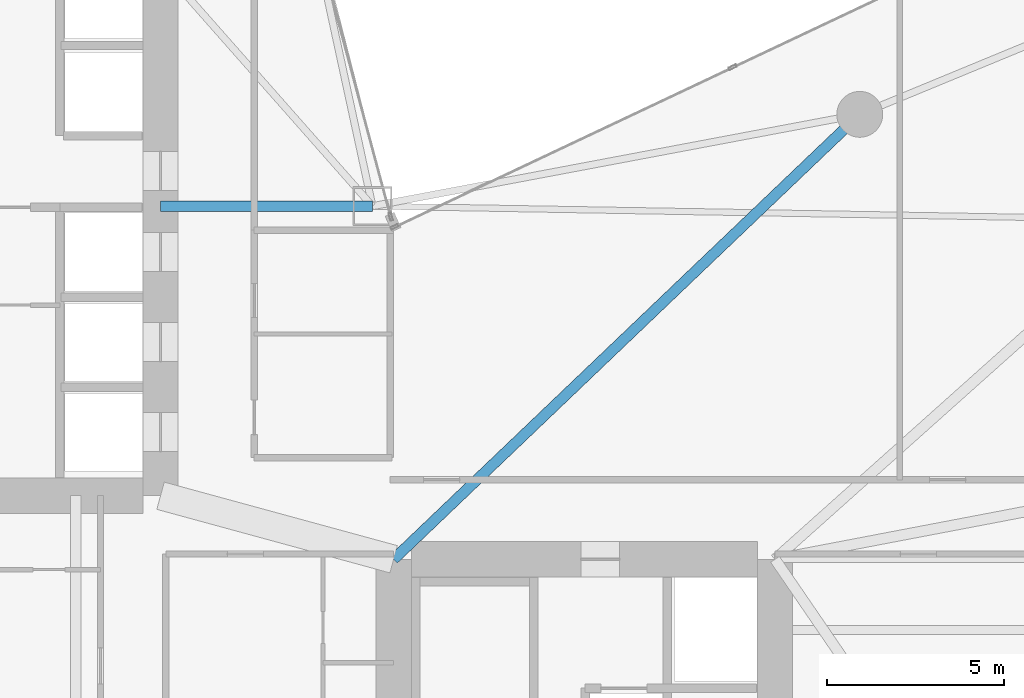
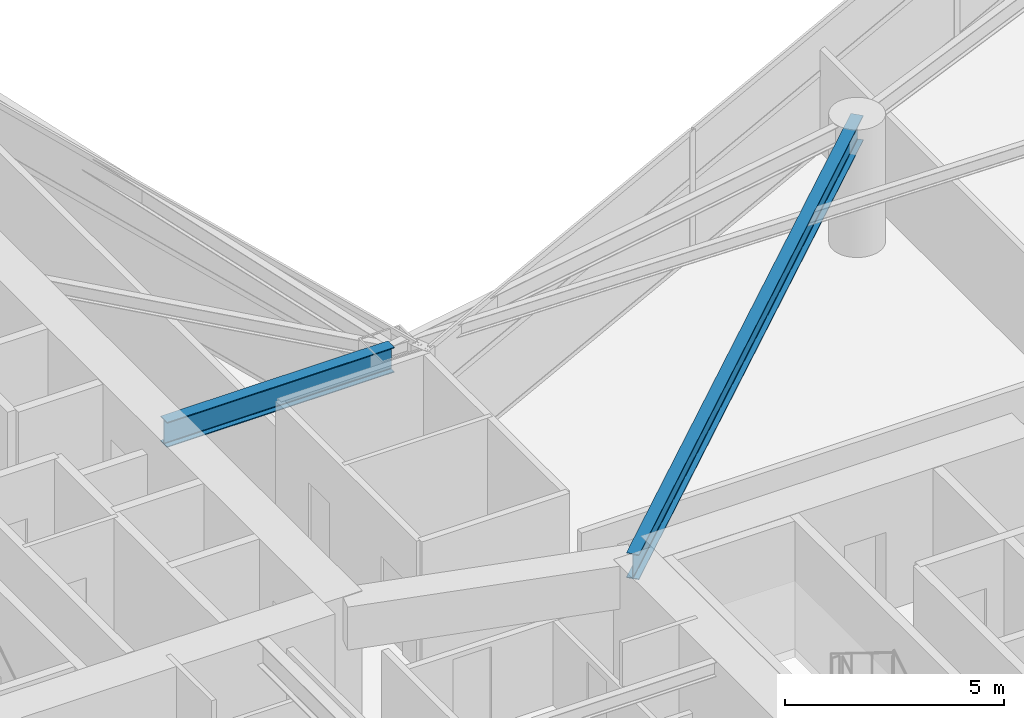
# One storey, part 9 of 29: 2 beams.
"""IFC4 building model written with IfcOpenShell, lengths in metres."""

from ifc_helpers import new_model, si_unit, direction, frame, origin, origin_2d, place, context, subcontext, project, spatial, i_section, extrude, material, material_profile, profile_set, type_object, element, save


model = new_model("IFC4")

# Units and contexts
model_context = context("Model", 3, precision=1e-05, world=origin(), true_north=direction((0.0, 1.0)))
body_context = subcontext(model_context, "Body", "Model", "MODEL_VIEW")
ifc_project = project(units=[si_unit("LENGTHUNIT", "METRE"), si_unit("AREAUNIT", "SQUARE_METRE"), si_unit("VOLUMEUNIT", "CUBIC_METRE"), si_unit("PLANEANGLEUNIT", "RADIAN"), si_unit("MASSUNIT", "GRAM", prefix="KILO")], contexts=[model_context])

# Site, building, storey
site_placement = place(None, origin())
site = spatial("IfcSite", under=ifc_project, at=site_placement, CompositionType="ELEMENT")
building_placement = place(site_placement, origin())
building = spatial("IfcBuilding", under=site, at=building_placement, Name="Calvorn Quay Hotel", CompositionType="ELEMENT")
storey_placement = place(building_placement, frame((0.0, 0.0, 69.800048828125)))
storey = spatial("IfcBuildingStorey", under=building, at=storey_placement, Name="L16", CompositionType="ELEMENT", Elevation=69.800048828125)

# Beams
ifc_material = material(Name="Steel Q390GJC", Category="steel")
ifc_material_profile = material_profile(ifc_material, i_section(OverallWidth=0.300048828125, OverallDepth=0.699951171875, WebThickness=0.012939453125, FlangeThickness=0.02392578125, FilletRadius=0.02392578125, at=origin_2d()), Name="HN700x300x13x24")
ifc_profile_set = profile_set([ifc_material_profile], Name="Steel Q390GJC")
beam_type = type_object("IfcBeamType", Name="BM-GIRD-MAIN", PredefinedType="BEAM", material=ifc_profile_set)
beam_1_placement = place(storey_placement, frame((21.0, 25.0, 3.18994140625), z_axis=(-1.0, 0.0, 0.0), x_axis=(0.0, -1.0, 0.0)))
element("IfcBeam", 1, at=beam_1_placement, inside=storey, type_object=beam_type, Name="Beam BG-L16-W7", PredefinedType="BEAM", context=body_context, shape_type="SweptSolid", body=[
    extrude(i_section(OverallWidth=0.300048828125, OverallDepth=0.699951171875, WebThickness=0.012939453125, FlangeThickness=0.02392578125, FilletRadius=0.02392578125, at=origin_2d()), origin(), (0.0, 0.0, 1.0), 6.0),
])
beam_2_placement = place(storey_placement, frame((21.60009765625, 15.0, 3.18994140625), z_axis=(0.723351595578, 0.690479883252, 0.0), x_axis=(-0.690479883252, 0.723351595578, 0.0)))
element("IfcBeam", 2, at=beam_2_placement, inside=storey, type_object=beam_type, Name="Beam BG-L16-E4", PredefinedType="BEAM", context=body_context, shape_type="SweptSolid", body=[
    extrude(i_section(OverallWidth=0.300048828125, OverallDepth=0.699951171875, WebThickness=0.012939453125, FlangeThickness=0.02392578125, FilletRadius=0.02392578125, at=origin_2d()), origin(), (0.0, 0.0, 1.0), 18.248291015625),
])

save(model, "model.ifc")
